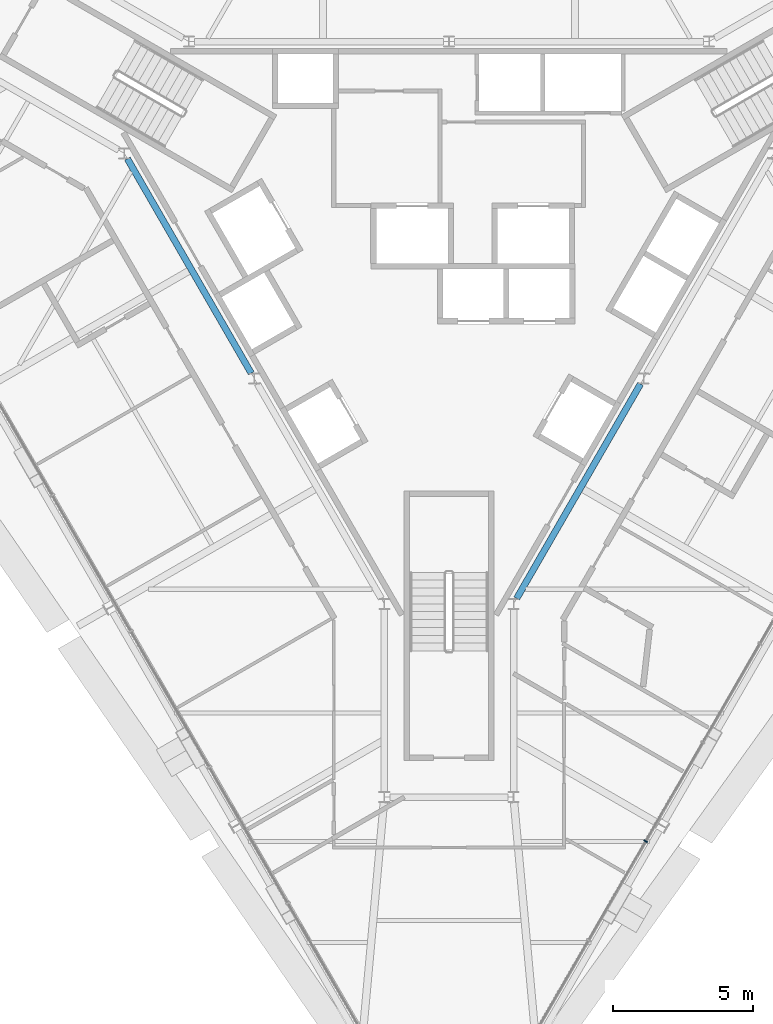
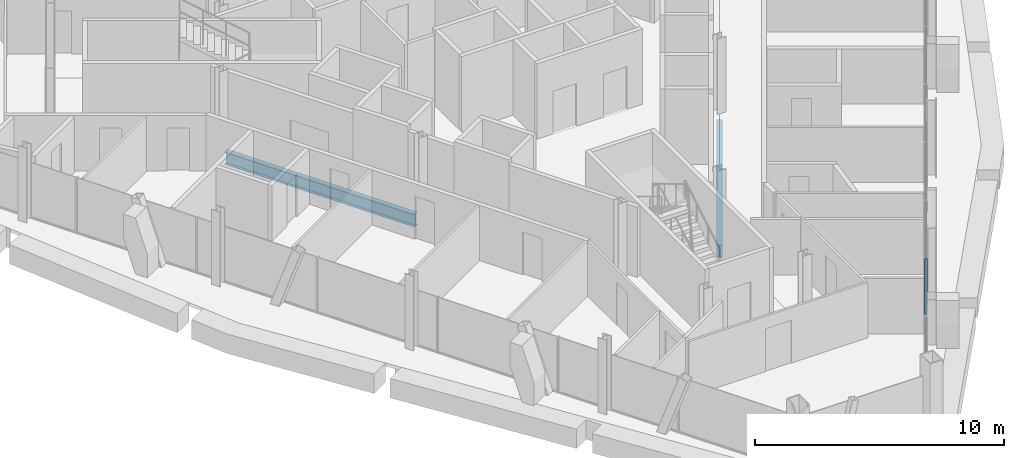
# One storey, part 5 of 16: 2 beams, 1 member, 1 element without a shape of its own.
"""IFC4 building model written with IfcOpenShell, lengths in metres."""

from ifc_helpers import new_model, si_unit, direction, frame, origin, origin_2d, place, context, subcontext, project, spatial, rectangle, i_section, extrude, material, material_profile, profile_set, type_object, element, aggregate, save


model = new_model("IFC4")

# Units and contexts
model_context = context("Model", 3, precision=1e-05, world=origin(), true_north=direction((0.0, 1.0)))
body_context = subcontext(model_context, "Body", "Model", "MODEL_VIEW")
ifc_project = project(units=[si_unit("LENGTHUNIT", "METRE"), si_unit("AREAUNIT", "SQUARE_METRE"), si_unit("VOLUMEUNIT", "CUBIC_METRE"), si_unit("PLANEANGLEUNIT", "RADIAN"), si_unit("MASSUNIT", "GRAM", prefix="KILO")], contexts=[model_context])

# Site, building, storey
site_placement = place(None, origin())
site = spatial("IfcSite", under=ifc_project, at=site_placement, CompositionType="ELEMENT")
building_placement = place(site_placement, origin())
building = spatial("IfcBuilding", under=site, at=building_placement, Name="Verrane Prism Tower", CompositionType="ELEMENT")
storey_placement = place(building_placement, frame((0.0, 0.0, 239.699951171875)))
storey = spatial("IfcBuildingStorey", under=building, at=storey_placement, Name="L60", CompositionType="ELEMENT", Elevation=239.699951171875)

# Beams
ifc_material_1 = material(Name="Steel A992", Category="steel")
ifc_material_profile_1 = material_profile(ifc_material_1, i_section(OverallWidth=0.23046875, OverallDepth=0.6171875, WebThickness=0.01318359375, FlangeThickness=0.022216796875, FilletRadius=0.012939453125, at=origin_2d()), Name="W24x94")
ifc_profile_set_1 = profile_set([ifc_material_profile_1], Name="Steel A992")
beam_type = type_object("IfcBeamType", Name="Core ring girder W24x94", PredefinedType="BEAM", material=ifc_profile_set_1)
beam_1_placement = place(storey_placement, frame((-11.448486328125, 3.826904296875, -0.55859375), z_axis=(0.499967007444, -0.866044451208, 0.0), x_axis=(0.866044451208, 0.499967007444, 0.0)))
element("IfcBeam", 1, at=beam_1_placement, inside=storey, type_object=beam_type, Name="Core ring girder L60", PredefinedType="BEAM", context=body_context, shape_type="SweptSolid", body=[
    extrude(i_section(OverallWidth=0.23046875, OverallDepth=0.6171875, WebThickness=0.01318359375, FlangeThickness=0.022216796875, FilletRadius=0.012939453125, at=origin_2d()), origin(), (0.0, 0.0, 1.0), 8.814453125),
])
beam_2_placement = place(storey_placement, frame((2.411376953125, -11.826904296875, -0.55859375), z_axis=(0.499987781028, 0.866032458297, 0.0), x_axis=(-0.866032458297, 0.499987781028, 0.0)))
element("IfcBeam", 2, at=beam_2_placement, inside=storey, type_object=beam_type, Name="Core ring girder L60", PredefinedType="BEAM", context=body_context, shape_type="SweptSolid", body=[
    extrude(i_section(OverallWidth=0.23046875, OverallDepth=0.6171875, WebThickness=0.01318359375, FlangeThickness=0.022216796875, FilletRadius=0.012939453125, at=origin_2d()), origin(), (0.0, 0.0, 1.0), 8.814697265625),
])

# Curtain wall, member
ifc_material_2 = material(Name="Aluminium framed insulated glazing", Category="aluminium")
curtain_wall_type = type_object("IfcCurtainWallType", Name="Curtain wall CW-C 4200 module", PredefinedType="NOTDEFINED", material=ifc_material_2)
curtain_wall_placement = place(storey_placement, origin())
curtain_wall = element("IfcCurtainWall", 3, at=curtain_wall_placement, inside=storey, type_object=curtain_wall_type, Name="Glazed curtain wall south-east face L60", PredefinedType="NOTDEFINED")
ifc_material_3 = material(Name="Aluminium alloy 6063-T6", Category="aluminium")
ifc_material_profile_2 = material_profile(ifc_material_3, rectangle(XDim=0.139892578125, YDim=0.050048828125, at=origin_2d()), Name="Mullion 50x140 aluminium")
ifc_profile_set_2 = profile_set([ifc_material_profile_2], Name="Aluminium alloy 6063-T6")
member_type = type_object("IfcMemberType", Name="Mullion 50x140 aluminium", PredefinedType="MULLION", material=ifc_profile_set_2)
member_placement = place(storey_placement, frame((7.00341796875, -20.473388671875, 0.0), z_axis=(0.0, 0.0, 1.0), x_axis=(-0.866025759098, 0.499999384578, 0.0)))
member = element("IfcMember", 4, at=member_placement, type_object=member_type, Name="CW59.6 mullion 3", PredefinedType="MULLION", context=body_context, shape_type="SweptSolid", body=[
    extrude(rectangle(XDim=0.139892578125, YDim=0.050048828125, at=origin_2d()), origin(), (0.0, 0.0, 1.0), 2.712890625),
])
aggregate(curtain_wall, [member])

save(model, "model.ifc")
